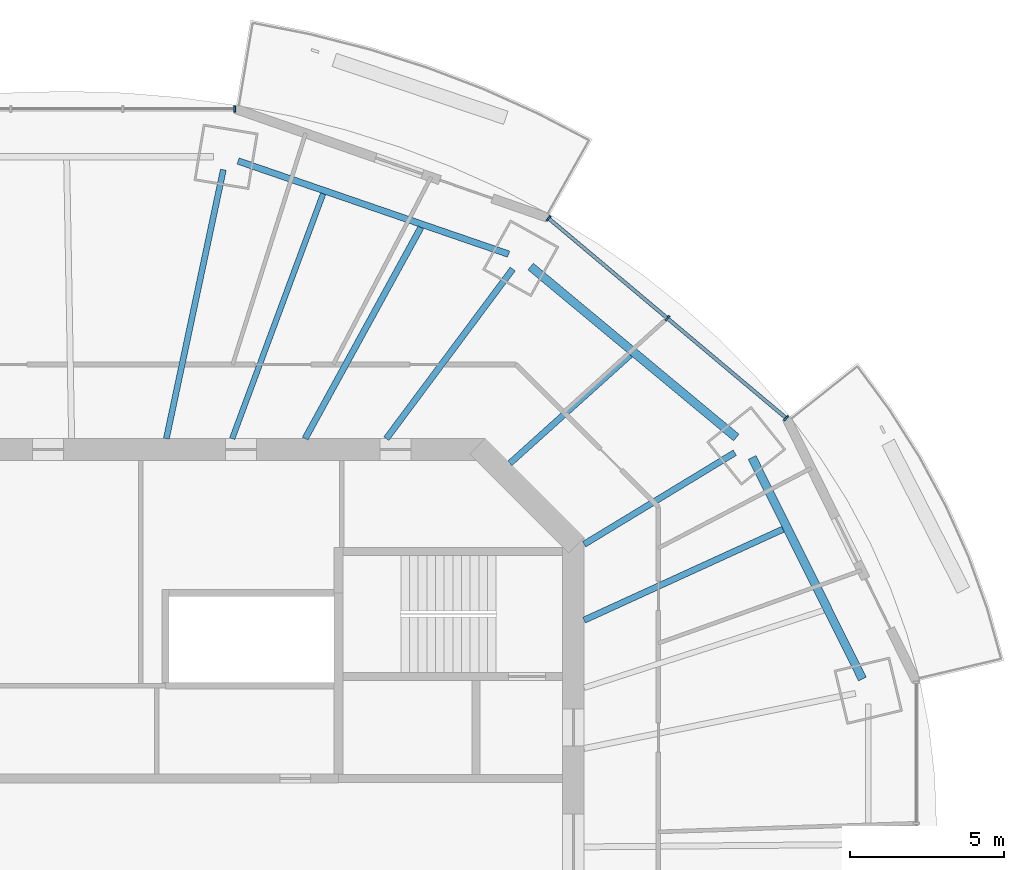
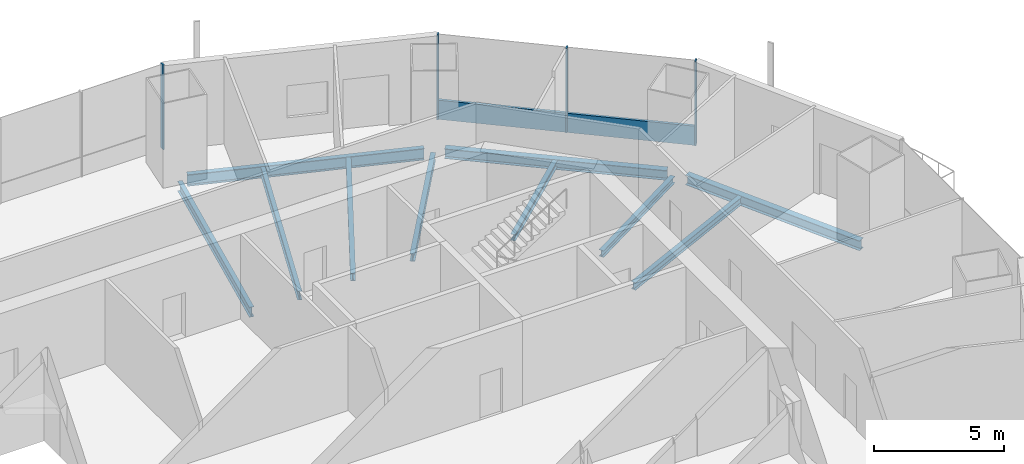
# One storey, part 6 of 16: 10 beams, 5 members, 2 elements without a shape of their own.
"""IFC4 building model written with IfcOpenShell, lengths in metres."""

from ifc_helpers import new_model, si_unit, direction, frame, origin, origin_2d, place, context, subcontext, project, spatial, rectangle, i_section, extrude, material, material_profile, profile_set, type_object, element, aggregate, save


model = new_model("IFC4")

# Units and contexts
model_context = context("Model", 3, precision=1e-05, world=origin(), true_north=direction((0.0, 1.0)))
body_context = subcontext(model_context, "Body", "Model", "MODEL_VIEW")
ifc_project = project(units=[si_unit("LENGTHUNIT", "METRE"), si_unit("AREAUNIT", "SQUARE_METRE"), si_unit("VOLUMEUNIT", "CUBIC_METRE"), si_unit("PLANEANGLEUNIT", "RADIAN"), si_unit("MASSUNIT", "GRAM", prefix="KILO")], contexts=[model_context])

# Site, building, storey
site_placement = place(None, origin())
site = spatial("IfcSite", under=ifc_project, at=site_placement, CompositionType="ELEMENT")
building_placement = place(site_placement, origin())
building = spatial("IfcBuilding", under=site, at=building_placement, Name="Marenthal Gate Tower", CompositionType="ELEMENT")
storey_placement = place(building_placement, frame((0.0, 0.0, 313.550048828125)))
storey = spatial("IfcBuildingStorey", under=building, at=storey_placement, Name="L70", CompositionType="ELEMENT", Elevation=313.550048828125)

# Curtain wall, members
ifc_material_1 = material(Name="Aluminium and glass", Category="aluminium")
curtain_wall_type = type_object("IfcCurtainWallType", Name="Curtain wall typical high", PredefinedType="NOTDEFINED", material=ifc_material_1)
curtain_wall_1_placement = place(storey_placement, origin())
curtain_wall_1 = element("IfcCurtainWall", 1, at=curtain_wall_1_placement, inside=storey, type_object=curtain_wall_type, Name="Curtain wall L70 bay 2", PredefinedType="NOTDEFINED")
ifc_material_2 = material(Name="Aluminium", Category="aluminium")
ifc_material_profile_1 = material_profile(ifc_material_2, rectangle(XDim=0.199951171875, YDim=0.06005859375, at=origin_2d()), Name="60x200 aluminium mullion")
ifc_profile_set_1 = profile_set([ifc_material_profile_1], Name="Aluminium")
member_type_1 = type_object("IfcMemberType", Name="Mullion 60x200 typical high", PredefinedType="MULLION", material=ifc_profile_set_1)
member_1_placement = place(storey_placement, frame((22.886474609375, 14.01513671875, 0.0), z_axis=(0.0, 0.0, 1.0), x_axis=(-0.643570293048, -0.765387011848, 0.0)))
member_1 = element("IfcMember", 2, at=member_1_placement, type_object=member_type_1, Name="Mullion L70 bay 2.1", PredefinedType="MULLION", context=body_context, shape_type="SweptSolid", body=[
    extrude(rectangle(XDim=0.199951171875, YDim=0.06005859375, at=origin_2d()), origin(), (0.0, 0.0, 1.0), 3.969970703125),
])
member_2_placement = place(storey_placement, frame((19.042236328125, 17.24755859375, 0.0), z_axis=(0.0, 0.0, 1.0), x_axis=(-0.643570293048, -0.765387011848, 0.0)))
member_2 = element("IfcMember", 3, at=member_2_placement, type_object=member_type_1, Name="Mullion L70 bay 2.2", PredefinedType="MULLION", context=body_context, shape_type="SweptSolid", body=[
    extrude(rectangle(XDim=0.199951171875, YDim=0.06005859375, at=origin_2d()), origin(), (0.0, 0.0, 1.0), 3.969970703125),
])
member_3_placement = place(storey_placement, frame((15.197998046875, 20.47998046875, 0.0), z_axis=(0.0, 0.0, 1.0), x_axis=(-0.643570293048, -0.765387011848, 0.0)))
member_3 = element("IfcMember", 4, at=member_3_placement, type_object=member_type_1, Name="Mullion L70 bay 2.3", PredefinedType="MULLION", context=body_context, shape_type="SweptSolid", body=[
    extrude(rectangle(XDim=0.199951171875, YDim=0.06005859375, at=origin_2d()), origin(), (0.0, 0.0, 1.0), 3.969970703125),
])

# Curtain wall, member
curtain_wall_2_placement = place(storey_placement, origin())
curtain_wall_2 = element("IfcCurtainWall", 5, at=curtain_wall_2_placement, inside=storey, type_object=curtain_wall_type, Name="Curtain wall L70 bay 4", PredefinedType="NOTDEFINED")
member_4_placement = place(storey_placement, frame((5.039306640625, 24.01904296875, 0.0), z_axis=(0.0, 0.0, 1.0), x_axis=(0.0, -1.0, 0.0)))
member_4 = element("IfcMember", 6, at=member_4_placement, type_object=member_type_1, Name="Mullion L70 bay 4.1", PredefinedType="MULLION", context=body_context, shape_type="SweptSolid", body=[
    extrude(rectangle(XDim=0.199951171875, YDim=0.06005859375, at=origin_2d()), origin(), (0.0, 0.0, 1.0), 3.969970703125),
])
aggregate(curtain_wall_2, [member_4])

# Member
ifc_material_3 = material(Name="Aluminium", Category="aluminium")
ifc_material_profile_2 = material_profile(ifc_material_3, rectangle(XDim=0.1201171875, YDim=0.89990234375, at=origin_2d()), Name="120x900 aluminium transom")
ifc_profile_set_2 = profile_set([ifc_material_profile_2], Name="Aluminium")
member_type_2 = type_object("IfcMemberType", Name="Transom 120x900 typical high", PredefinedType="USERDEFINED", material=ifc_profile_set_2)
member_5_placement = place(storey_placement, frame((22.863525390625, 14.034423828125, 0.449951171875), z_axis=(-0.765383983227, 0.643573894918, 0.0), x_axis=(-0.643573894918, -0.765383983227, 0.0)))
member_5 = element("IfcMember", 7, at=member_5_placement, type_object=member_type_2, Name="Transom L70 bay 2", ObjectType="TRANSOM", PredefinedType="USERDEFINED", context=body_context, shape_type="SweptSolid", body=[
    extrude(rectangle(XDim=0.1201171875, YDim=0.89990234375, at=origin_2d()), origin(), (0.0, 0.0, 1.0), 9.9853515625),
])

aggregate(curtain_wall_1, [member_1, member_2, member_3, member_5])

# Beams
ifc_material_4 = material(Name="Steel S355", Category="steel")
ifc_material_profile_3 = material_profile(ifc_material_4, i_section(OverallWidth=0.202880859375, OverallDepth=0.302001953125, WebThickness=0.007568359375, FlangeThickness=0.01318359375, FilletRadius=0.0126953125, at=origin_2d()), Name="W310X60")
ifc_profile_set_3 = profile_set([ifc_material_profile_3], Name="Steel S355")
beam_type_1 = type_object("IfcBeamType", Name="W310X60 beam", PredefinedType="BEAM", material=ifc_profile_set_3)
beam_1_placement = place(storey_placement, frame((17.841552734375, 16.0576171875, -0.3310546875), z_axis=(-0.743289515338, -0.668969877042, 0.0), x_axis=(0.668969877042, -0.743289515338, 0.0)))
element("IfcBeam", 8, at=beam_1_placement, inside=storey, type_object=beam_type_1, Name="BM-L70-19", PredefinedType="BEAM", context=body_context, shape_type="SweptSolid", body=[
    extrude(i_section(OverallWidth=0.202880859375, OverallDepth=0.302001953125, WebThickness=0.007568359375, FlangeThickness=0.01318359375, FilletRadius=0.0126953125, at=origin_2d()), origin(), (0.0, 0.0, 1.0), 5.242919921875),
])
ifc_material_5 = material(Name="Steel S355", Category="steel")
ifc_material_profile_4 = material_profile(ifc_material_5, i_section(OverallWidth=0.205078125, OverallDepth=0.31005859375, WebThickness=0.009521484375, FlangeThickness=0.016357421875, FilletRadius=0.0126953125, at=origin_2d()), Name="W310X74")
ifc_profile_set_4 = profile_set([ifc_material_profile_4], Name="Steel S355")
beam_type_2 = type_object("IfcBeamType", Name="W310X74 beam", PredefinedType="BEAM", material=ifc_profile_set_4)
beam_2_placement = place(storey_placement, frame((21.2255859375, 12.893310546875, -0.3349609375), z_axis=(-0.85466679747, -0.519176911373, 0.0), x_axis=(0.519176911373, -0.85466679747, 0.0)))
element("IfcBeam", 9, at=beam_2_placement, inside=storey, type_object=beam_type_2, Name="BM-L70-02", PredefinedType="BEAM", context=body_context, shape_type="SweptSolid", body=[
    extrude(i_section(OverallWidth=0.205078125, OverallDepth=0.31005859375, WebThickness=0.009521484375, FlangeThickness=0.016357421875, FilletRadius=0.0126953125, at=origin_2d()), origin(), (0.0, 0.0, 1.0), 5.70458984375),
])
ifc_material_6 = material(Name="Steel S355", Category="steel")
ifc_material_profile_5 = material_profile(ifc_material_6, i_section(OverallWidth=0.205078125, OverallDepth=0.35302734375, WebThickness=0.009521484375, FlangeThickness=0.016845703125, FilletRadius=0.014892578125, at=origin_2d()), Name="W360X79")
ifc_profile_set_5 = profile_set([ifc_material_profile_5], Name="Steel S355")
beam_type_3 = type_object("IfcBeamType", Name="W360X79 beam", PredefinedType="BEAM", material=ifc_profile_set_5)
beam_3_placement = place(storey_placement, frame((14.0380859375, 18.838134765625, -0.3564453125), z_axis=(-0.597525846499, -0.801849650973, 0.0), x_axis=(0.801849650973, -0.597525846499, 0.0)))
element("IfcBeam", 10, at=beam_3_placement, inside=storey, type_object=beam_type_3, Name="BM-L70-03", PredefinedType="BEAM", context=body_context, shape_type="SweptSolid", body=[
    extrude(i_section(OverallWidth=0.205078125, OverallDepth=0.35302734375, WebThickness=0.009521484375, FlangeThickness=0.016845703125, FilletRadius=0.014892578125, at=origin_2d()), origin(), (0.0, 0.0, 1.0), 6.84423828125),
])
beam_4_placement = place(storey_placement, frame((22.785400390625, 10.41748046875, -0.3564453125), z_axis=(-0.909446144779, -0.415821728324, 0.0), x_axis=(0.415821728324, -0.909446144779, 0.0)))
element("IfcBeam", 11, at=beam_4_placement, inside=storey, type_object=beam_type_3, Name="BM-L70-18", PredefinedType="BEAM", context=body_context, shape_type="SweptSolid", body=[
    extrude(i_section(OverallWidth=0.205078125, OverallDepth=0.35302734375, WebThickness=0.009521484375, FlangeThickness=0.016845703125, FilletRadius=0.014892578125, at=origin_2d()), origin(), (0.0, 0.0, 1.0), 7.076171875),
])
beam_5_placement = place(storey_placement, frame((11.066650390625, 20.18603515625, -0.3564453125), z_axis=(-0.480740187166, -0.876863086487, 0.0), x_axis=(0.876863086487, -0.480740187166, 0.0)))
element("IfcBeam", 12, at=beam_5_placement, inside=storey, type_object=beam_type_3, Name="BM-L70-20", PredefinedType="BEAM", context=body_context, shape_type="SweptSolid", body=[
    extrude(i_section(OverallWidth=0.205078125, OverallDepth=0.35302734375, WebThickness=0.009521484375, FlangeThickness=0.016845703125, FilletRadius=0.014892578125, at=origin_2d()), origin(), (0.0, 0.0, 1.0), 7.7958984375),
])
ifc_material_7 = material(Name="Steel S355", Category="steel")
ifc_material_profile_6 = material_profile(ifc_material_7, i_section(OverallWidth=0.180908203125, OverallDepth=0.4169921875, WebThickness=0.010986328125, FlangeThickness=0.018310546875, FilletRadius=0.01025390625, at=origin_2d()), Name="W410X85")
ifc_profile_set_6 = profile_set([ifc_material_profile_6], Name="Steel S355")
beam_type_4 = type_object("IfcBeamType", Name="W410X85 beam", PredefinedType="BEAM", material=ifc_profile_set_6)
beam_6_placement = place(storey_placement, frame((7.902587890625, 21.275390625, -0.388427734375), z_axis=(-0.348203930571, -0.937418808609, 0.0), x_axis=(0.937418808609, -0.348203930571, 0.0)))
element("IfcBeam", 13, at=beam_6_placement, inside=storey, type_object=beam_type_4, Name="BM-L70-21", PredefinedType="BEAM", context=body_context, shape_type="SweptSolid", body=[
    extrude(i_section(OverallWidth=0.180908203125, OverallDepth=0.4169921875, WebThickness=0.010986328125, FlangeThickness=0.018310546875, FilletRadius=0.01025390625, at=origin_2d()), origin(), (0.0, 0.0, 1.0), 8.454345703125),
])
ifc_material_8 = material(Name="Steel S355", Category="steel")
ifc_material_profile_7 = material_profile(ifc_material_8, i_section(OverallWidth=0.279052734375, OverallDepth=0.4619140625, WebThickness=0.0107421875, FlangeThickness=0.017333984375, FilletRadius=0.010009765625, at=origin_2d()), Name="W460X113")
ifc_profile_set_7 = profile_set([ifc_material_profile_7], Name="Steel S355")
beam_type_5 = type_object("IfcBeamType", Name="W460X113 beam", PredefinedType="BEAM", material=ifc_profile_set_7)
beam_7_placement = place(storey_placement, frame((25.356689453125, 5.569580078125, -0.4111328125), z_axis=(-0.445957794183, 0.895053990443, 0.0), x_axis=(-0.895053990443, -0.445957794183, 0.0)))
element("IfcBeam", 14, at=beam_7_placement, inside=storey, type_object=beam_type_5, Name="BM-L70-41", PredefinedType="BEAM", context=body_context, shape_type="SweptSolid", body=[
    extrude(i_section(OverallWidth=0.279052734375, OverallDepth=0.4619140625, WebThickness=0.0107421875, FlangeThickness=0.017333984375, FilletRadius=0.010009765625, at=origin_2d()), origin(), (0.0, 0.0, 1.0), 8.012451171875),
])
beam_8_placement = place(storey_placement, frame((21.27392578125, 13.385498046875, -0.4111328125), z_axis=(-0.768962779386, 0.639293550662, 0.0), x_axis=(-0.639293550662, -0.768962779386, 0.0)))
element("IfcBeam", 15, at=beam_8_placement, inside=storey, type_object=beam_type_5, Name="BM-L70-42", PredefinedType="BEAM", context=body_context, shape_type="SweptSolid", body=[
    extrude(i_section(OverallWidth=0.279052734375, OverallDepth=0.4619140625, WebThickness=0.0107421875, FlangeThickness=0.017333984375, FilletRadius=0.010009765625, at=origin_2d()), origin(), (0.0, 0.0, 1.0), 8.656982421875),
])
ifc_material_9 = material(Name="Steel S355", Category="steel")
ifc_material_profile_8 = material_profile(ifc_material_9, i_section(OverallWidth=0.193115234375, OverallDepth=0.467041015625, WebThickness=0.011474609375, FlangeThickness=0.01904296875, FilletRadius=0.010009765625, at=origin_2d()), Name="W460X97")
ifc_profile_set_8 = profile_set([ifc_material_profile_8], Name="Steel S355")
beam_type_6 = type_object("IfcBeamType", Name="W460X97 beam", PredefinedType="BEAM", material=ifc_profile_set_8)
beam_9_placement = place(storey_placement, frame((4.672607421875, 22.052734375, -0.41357421875), z_axis=(-0.207286939733, -0.978280187173, 0.0), x_axis=(0.978280187173, -0.207286939733, 0.0)))
element("IfcBeam", 16, at=beam_9_placement, inside=storey, type_object=beam_type_6, Name="BM-L70-04", PredefinedType="BEAM", context=body_context, shape_type="SweptSolid", body=[
    extrude(i_section(OverallWidth=0.193115234375, OverallDepth=0.467041015625, WebThickness=0.011474609375, FlangeThickness=0.01904296875, FilletRadius=0.010009765625, at=origin_2d()), origin(), (0.0, 0.0, 1.0), 8.895751953125),
])
ifc_material_10 = material(Name="Steel S355", Category="steel")
ifc_material_profile_9 = material_profile(ifc_material_10, i_section(OverallWidth=0.2119140625, OverallDepth=0.5439453125, WebThickness=0.01318359375, FlangeThickness=0.021240234375, FilletRadius=0.0126953125, at=origin_2d()), Name="W530X123")
ifc_profile_set_9 = profile_set([ifc_material_profile_9], Name="Steel S355")
beam_type_7 = type_object("IfcBeamType", Name="W530X123 beam", PredefinedType="BEAM", material=ifc_profile_set_9)
beam_10_placement = place(storey_placement, frame((13.90576171875, 19.320556640625, -0.4521484375), z_axis=(-0.945520555147, 0.325562405377, 0.0), x_axis=(-0.325562405377, -0.945520555147, 0.0)))
element("IfcBeam", 17, at=beam_10_placement, inside=storey, type_object=beam_type_7, Name="BM-L70-43", PredefinedType="BEAM", context=body_context, shape_type="SweptSolid", body=[
    extrude(i_section(OverallWidth=0.2119140625, OverallDepth=0.5439453125, WebThickness=0.01318359375, FlangeThickness=0.021240234375, FilletRadius=0.0126953125, at=origin_2d()), origin(), (0.0, 0.0, 1.0), 9.259033203125),
])

save(model, "model.ifc")
